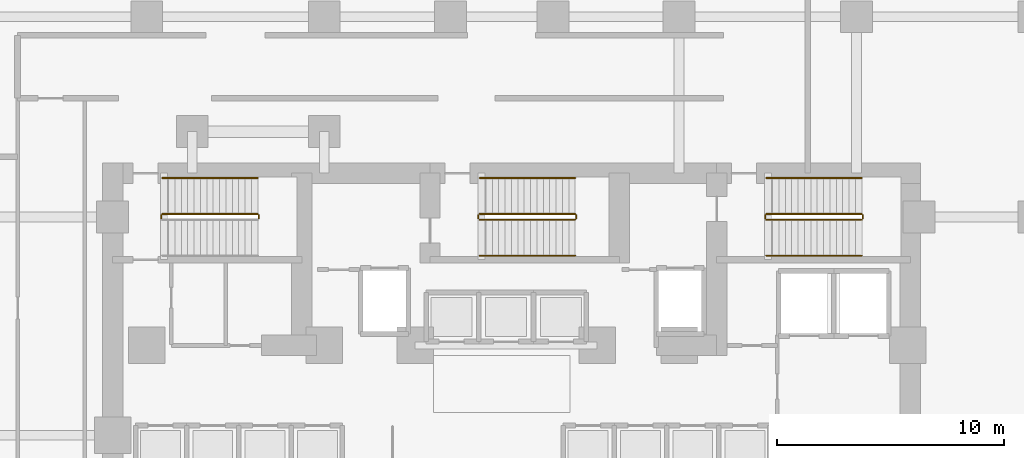
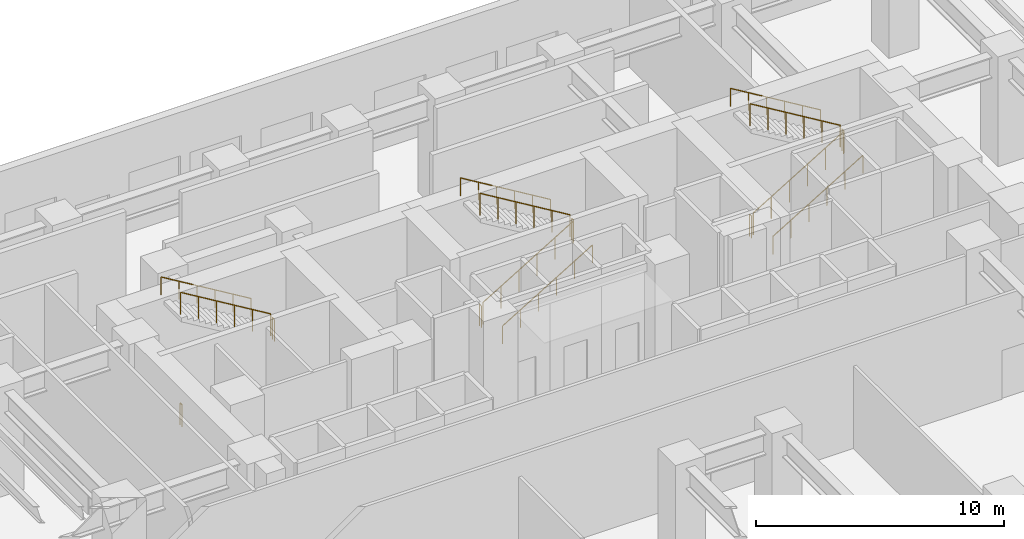
# One storey, part 15 of 17: 16 railings.
"""IFC4 building model written with IfcOpenShell, lengths in metres."""

from ifc_helpers import new_model, si_unit, direction, frame, origin, origin_2d, place, context, subcontext, project, spatial, circle, extrude, material, type_object, element, save


model = new_model("IFC4")

# Units and contexts
model_context = context("Model", 3, precision=1e-05, world=origin(), true_north=direction((0.0, 1.0)))
body_context = subcontext(model_context, "Body", "Model", "MODEL_VIEW")
ifc_project = project(units=[si_unit("LENGTHUNIT", "METRE"), si_unit("AREAUNIT", "SQUARE_METRE"), si_unit("VOLUMEUNIT", "CUBIC_METRE"), si_unit("PLANEANGLEUNIT", "RADIAN"), si_unit("MASSUNIT", "GRAM", prefix="KILO")], contexts=[model_context])

# Site, building, storey
site_placement = place(None, origin())
site = spatial("IfcSite", under=ifc_project, at=site_placement, CompositionType="ELEMENT")
building_placement = place(site_placement, origin())
building = spatial("IfcBuilding", under=site, at=building_placement, Name="Kestravale Grand Hotel", CompositionType="ELEMENT")
storey_placement = place(building_placement, origin())
storey = spatial("IfcBuildingStorey", under=building, at=storey_placement, Name="L00", CompositionType="ELEMENT", Elevation=0.0)

# Railings
ifc_material_1 = material(Name="Painted tubular steel stair well guard", Category="steel")
railing_type_1 = type_object("IfcRailingType", Name="RL-ST-GRD1100", PredefinedType="GUARDRAIL", material=ifc_material_1)
railing_1_placement = place(storey_placement, frame((28.330078125, 38.330078125, 2.699951171875)))
element("IfcRailing", 1, at=railing_1_placement, inside=storey, type_object=railing_type_1, Name="L00 ST-1 stair guard 2", PredefinedType="GUARDRAIL", context=body_context, shape_type="SweptSolid", body=[
    extrude(circle(Radius=0.02392578125, at=origin_2d()), frame((0.0, 0.0, 1.076171875), z_axis=(0.0, 1.0, 0.0), x_axis=(-1.0, 0.0, 0.0)), (0.0, 0.0, 1.0), 0.14990234375),
    extrude(circle(Radius=0.02099609375, at=origin_2d()), origin(), (0.0, 0.0, 1.0), 1.052001953125),
    extrude(circle(Radius=0.02099609375, at=origin_2d()), frame((0.0, 0.14990234375, 0.0)), (0.0, 0.0, 1.0), 1.052001953125),
])
railing_2_placement = place(storey_placement, frame((28.280029296875, 38.530029296875, 2.86865234375)))
element("IfcRailing", 2, at=railing_2_placement, inside=storey, type_object=railing_type_1, Name="L00 ST-1 stair guard 3", PredefinedType="GUARDRAIL", context=body_context, shape_type="SweptSolid", body=[
    extrude(circle(Radius=0.02392578125, at=origin_2d()), frame((0.0, 0.0, 1.076171875), z_axis=(-0.856476492594, 0.0, 0.516186030065), x_axis=(0.0, -1.0, 0.0)), (0.0, 0.0, 1.0), 4.90380859375),
    extrude(circle(Radius=0.02099609375, at=origin_2d()), origin(), (0.0, 0.0, 1.0), 1.052001953125),
    extrude(circle(Radius=0.02099609375, at=origin_2d()), frame((-0.840087890625, 0.0, 0.50634765625)), (0.0, 0.0, 1.0), 1.052001953125),
    extrude(circle(Radius=0.02099609375, at=origin_2d()), frame((-1.679931640625, 0.0, 1.012451171875)), (0.0, 0.0, 1.0), 1.052001953125),
    extrude(circle(Radius=0.02099609375, at=origin_2d()), frame((-2.52001953125, 0.0, 1.518798828125)), (0.0, 0.0, 1.0), 1.052001953125),
    extrude(circle(Radius=0.02099609375, at=origin_2d()), frame((-3.35986328125, 0.0, 2.02490234375)), (0.0, 0.0, 1.0), 1.052001953125),
    extrude(circle(Radius=0.02099609375, at=origin_2d()), frame((-4.199951171875, 0.0, 2.53125)), (0.0, 0.0, 1.0), 1.052001953125),
])
railing_3_placement = place(storey_placement, frame((24.030029296875, 38.330078125, 0.0)))
element("IfcRailing", 3, at=railing_3_placement, inside=storey, type_object=railing_type_1, Name="L00 ST-1 stair guard 4", PredefinedType="GUARDRAIL", context=body_context, shape_type="SweptSolid", body=[
    extrude(circle(Radius=0.02392578125, at=origin_2d()), frame((0.0, 0.0, 1.076171875), z_axis=(0.0, 1.0, 0.0), x_axis=(-1.0, 0.0, 0.0)), (0.0, 0.0, 1.0), 0.14990234375),
    extrude(circle(Radius=0.02099609375, at=origin_2d()), origin(), (0.0, 0.0, 1.0), 1.052001953125),
    extrude(circle(Radius=0.02099609375, at=origin_2d()), frame((0.0, 0.14990234375, 0.0)), (0.0, 0.0, 1.0), 1.052001953125),
])
railing_4_placement = place(storey_placement, frame((38.030029296875, 38.280029296875, 0.168701171875)))
element("IfcRailing", 4, at=railing_4_placement, inside=storey, type_object=railing_type_1, Name="L00 ST-2 stair guard 1", PredefinedType="GUARDRAIL", context=body_context, shape_type="SweptSolid", body=[
    extrude(circle(Radius=0.02392578125, at=origin_2d()), frame((0.0, 0.0, 1.076171875), z_axis=(0.856476492594, 0.0, 0.516186030065), x_axis=(0.0, 1.0, 0.0)), (0.0, 0.0, 1.0), 4.90380859375),
    extrude(circle(Radius=0.02099609375, at=origin_2d()), origin(), (0.0, 0.0, 1.0), 1.052001953125),
    extrude(circle(Radius=0.02099609375, at=origin_2d()), frame((0.840087890625, 0.0, 0.50634765625)), (0.0, 0.0, 1.0), 1.052001953125),
    extrude(circle(Radius=0.02099609375, at=origin_2d()), frame((1.679931640625, 0.0, 1.012451171875)), (0.0, 0.0, 1.0), 1.052001953125),
    extrude(circle(Radius=0.02099609375, at=origin_2d()), frame((2.52001953125, 0.0, 1.518798828125)), (0.0, 0.0, 1.0), 1.052001953125),
    extrude(circle(Radius=0.02099609375, at=origin_2d()), frame((3.35986328125, 0.0, 2.02490234375)), (0.0, 0.0, 1.0), 1.052001953125),
    extrude(circle(Radius=0.02099609375, at=origin_2d()), frame((4.199951171875, 0.0, 2.53125)), (0.0, 0.0, 1.0), 1.052001953125),
])
railing_5_placement = place(storey_placement, frame((42.280029296875, 38.330078125, 2.699951171875)))
element("IfcRailing", 5, at=railing_5_placement, inside=storey, type_object=railing_type_1, Name="L00 ST-2 stair guard 2", PredefinedType="GUARDRAIL", context=body_context, shape_type="SweptSolid", body=[
    extrude(circle(Radius=0.02392578125, at=origin_2d()), frame((0.0, 0.0, 1.076171875), z_axis=(0.0, 1.0, 0.0), x_axis=(-1.0, 0.0, 0.0)), (0.0, 0.0, 1.0), 0.14990234375),
    extrude(circle(Radius=0.02099609375, at=origin_2d()), origin(), (0.0, 0.0, 1.0), 1.052001953125),
    extrude(circle(Radius=0.02099609375, at=origin_2d()), frame((0.0, 0.14990234375, 0.0)), (0.0, 0.0, 1.0), 1.052001953125),
])
railing_6_placement = place(storey_placement, frame((42.22998046875, 38.530029296875, 2.86865234375)))
element("IfcRailing", 6, at=railing_6_placement, inside=storey, type_object=railing_type_1, Name="L00 ST-2 stair guard 3", PredefinedType="GUARDRAIL", context=body_context, shape_type="SweptSolid", body=[
    extrude(circle(Radius=0.02392578125, at=origin_2d()), frame((0.0, 0.0, 1.076171875), z_axis=(-0.856476492594, 0.0, 0.516186030065), x_axis=(0.0, -1.0, 0.0)), (0.0, 0.0, 1.0), 4.90380859375),
    extrude(circle(Radius=0.02099609375, at=origin_2d()), origin(), (0.0, 0.0, 1.0), 1.052001953125),
    extrude(circle(Radius=0.02099609375, at=origin_2d()), frame((-0.840087890625, 0.0, 0.50634765625)), (0.0, 0.0, 1.0), 1.052001953125),
    extrude(circle(Radius=0.02099609375, at=origin_2d()), frame((-1.679931640625, 0.0, 1.012451171875)), (0.0, 0.0, 1.0), 1.052001953125),
    extrude(circle(Radius=0.02099609375, at=origin_2d()), frame((-2.52001953125, 0.0, 1.518798828125)), (0.0, 0.0, 1.0), 1.052001953125),
    extrude(circle(Radius=0.02099609375, at=origin_2d()), frame((-3.35986328125, 0.0, 2.02490234375)), (0.0, 0.0, 1.0), 1.052001953125),
    extrude(circle(Radius=0.02099609375, at=origin_2d()), frame((-4.199951171875, 0.0, 2.53125)), (0.0, 0.0, 1.0), 1.052001953125),
])
railing_7_placement = place(storey_placement, frame((37.97998046875, 38.330078125, 0.0)))
element("IfcRailing", 7, at=railing_7_placement, inside=storey, type_object=railing_type_1, Name="L00 ST-2 stair guard 4", PredefinedType="GUARDRAIL", context=body_context, shape_type="SweptSolid", body=[
    extrude(circle(Radius=0.02392578125, at=origin_2d()), frame((0.0, 0.0, 1.076171875), z_axis=(0.0, 1.0, 0.0), x_axis=(-1.0, 0.0, 0.0)), (0.0, 0.0, 1.0), 0.14990234375),
    extrude(circle(Radius=0.02099609375, at=origin_2d()), origin(), (0.0, 0.0, 1.0), 1.052001953125),
    extrude(circle(Radius=0.02099609375, at=origin_2d()), frame((0.0, 0.14990234375, 0.0)), (0.0, 0.0, 1.0), 1.052001953125),
])
railing_8_placement = place(storey_placement, frame((50.6298828125, 38.280029296875, 0.168701171875)))
element("IfcRailing", 8, at=railing_8_placement, inside=storey, type_object=railing_type_1, Name="L00 ST-3 stair guard 1", PredefinedType="GUARDRAIL", context=body_context, shape_type="SweptSolid", body=[
    extrude(circle(Radius=0.02392578125, at=origin_2d()), frame((0.0, 0.0, 1.076171875), z_axis=(0.856489757249, 0.0, 0.516164020179), x_axis=(0.0, 1.0, 0.0)), (0.0, 0.0, 1.0), 4.904052734375),
    extrude(circle(Radius=0.02099609375, at=origin_2d()), origin(), (0.0, 0.0, 1.0), 1.052001953125),
    extrude(circle(Radius=0.02099609375, at=origin_2d()), frame((0.840087890625, 0.0, 0.50634765625)), (0.0, 0.0, 1.0), 1.052001953125),
    extrude(circle(Radius=0.02099609375, at=origin_2d()), frame((1.68017578125, 0.0, 1.012451171875)), (0.0, 0.0, 1.0), 1.052001953125),
    extrude(circle(Radius=0.02099609375, at=origin_2d()), frame((2.52001953125, 0.0, 1.518798828125)), (0.0, 0.0, 1.0), 1.052001953125),
    extrude(circle(Radius=0.02099609375, at=origin_2d()), frame((3.360107421875, 0.0, 2.02490234375)), (0.0, 0.0, 1.0), 1.052001953125),
    extrude(circle(Radius=0.02099609375, at=origin_2d()), frame((4.2001953125, 0.0, 2.53125)), (0.0, 0.0, 1.0), 1.052001953125),
])
railing_9_placement = place(storey_placement, frame((54.8798828125, 38.330078125, 2.699951171875)))
element("IfcRailing", 9, at=railing_9_placement, inside=storey, type_object=railing_type_1, Name="L00 ST-3 stair guard 2", PredefinedType="GUARDRAIL", context=body_context, shape_type="SweptSolid", body=[
    extrude(circle(Radius=0.02392578125, at=origin_2d()), frame((0.0, 0.0, 1.076171875), z_axis=(0.0, 1.0, 0.0), x_axis=(-1.0, 0.0, 0.0)), (0.0, 0.0, 1.0), 0.14990234375),
    extrude(circle(Radius=0.02099609375, at=origin_2d()), origin(), (0.0, 0.0, 1.0), 1.052001953125),
    extrude(circle(Radius=0.02099609375, at=origin_2d()), frame((0.0, 0.14990234375, 0.0)), (0.0, 0.0, 1.0), 1.052001953125),
])
railing_10_placement = place(storey_placement, frame((54.830078125, 38.530029296875, 2.86865234375)))
element("IfcRailing", 10, at=railing_10_placement, inside=storey, type_object=railing_type_1, Name="L00 ST-3 stair guard 3", PredefinedType="GUARDRAIL", context=body_context, shape_type="SweptSolid", body=[
    extrude(circle(Radius=0.02392578125, at=origin_2d()), frame((0.0, 0.0, 1.076171875), z_axis=(-0.856489757249, 0.0, 0.516164020179), x_axis=(0.0, -1.0, 0.0)), (0.0, 0.0, 1.0), 4.904052734375),
    extrude(circle(Radius=0.02099609375, at=origin_2d()), origin(), (0.0, 0.0, 1.0), 1.052001953125),
    extrude(circle(Radius=0.02099609375, at=origin_2d()), frame((-0.840087890625, 0.0, 0.50634765625)), (0.0, 0.0, 1.0), 1.052001953125),
    extrude(circle(Radius=0.02099609375, at=origin_2d()), frame((-1.68017578125, 0.0, 1.012451171875)), (0.0, 0.0, 1.0), 1.052001953125),
    extrude(circle(Radius=0.02099609375, at=origin_2d()), frame((-2.52001953125, 0.0, 1.518798828125)), (0.0, 0.0, 1.0), 1.052001953125),
    extrude(circle(Radius=0.02099609375, at=origin_2d()), frame((-3.360107421875, 0.0, 2.02490234375)), (0.0, 0.0, 1.0), 1.052001953125),
    extrude(circle(Radius=0.02099609375, at=origin_2d()), frame((-4.2001953125, 0.0, 2.53125)), (0.0, 0.0, 1.0), 1.052001953125),
])
railing_11_placement = place(storey_placement, frame((50.580078125, 38.330078125, 0.0)))
element("IfcRailing", 11, at=railing_11_placement, inside=storey, type_object=railing_type_1, Name="L00 ST-3 stair guard 4", PredefinedType="GUARDRAIL", context=body_context, shape_type="SweptSolid", body=[
    extrude(circle(Radius=0.02392578125, at=origin_2d()), frame((0.0, 0.0, 1.076171875), z_axis=(0.0, 1.0, 0.0), x_axis=(-1.0, 0.0, 0.0)), (0.0, 0.0, 1.0), 0.14990234375),
    extrude(circle(Radius=0.02099609375, at=origin_2d()), origin(), (0.0, 0.0, 1.0), 1.052001953125),
    extrude(circle(Radius=0.02099609375, at=origin_2d()), frame((0.0, 0.14990234375, 0.0)), (0.0, 0.0, 1.0), 1.052001953125),
])
ifc_material_2 = material(Name="Brushed stainless steel wall handrail", Category="steel")
railing_type_2 = type_object("IfcRailingType", Name="RL-ST-HND900", PredefinedType="HANDRAIL", material=ifc_material_2)
railing_12_placement = place(storey_placement, frame((28.280029296875, 40.110107421875, 2.86865234375)))
element("IfcRailing", 12, at=railing_12_placement, inside=storey, type_object=railing_type_2, Name="L00 ST-1 stair handrail 2", PredefinedType="HANDRAIL", context=body_context, shape_type="SweptSolid", body=[
    extrude(circle(Radius=0.02392578125, at=origin_2d()), frame((0.0, 0.0, 0.8759765625), z_axis=(-0.856476492594, 0.0, 0.516186030065), x_axis=(0.0, -1.0, 0.0)), (0.0, 0.0, 1.0), 4.90380859375),
    extrude(circle(Radius=0.02099609375, at=origin_2d()), origin(), (0.0, 0.0, 1.0), 0.851806640625),
    extrude(circle(Radius=0.02099609375, at=origin_2d()), frame((-0.840087890625, 0.0, 0.50634765625)), (0.0, 0.0, 1.0), 0.851806640625),
    extrude(circle(Radius=0.02099609375, at=origin_2d()), frame((-1.679931640625, 0.0, 1.012451171875)), (0.0, 0.0, 1.0), 0.851806640625),
    extrude(circle(Radius=0.02099609375, at=origin_2d()), frame((-2.52001953125, 0.0, 1.518798828125)), (0.0, 0.0, 1.0), 0.851806640625),
    extrude(circle(Radius=0.02099609375, at=origin_2d()), frame((-3.35986328125, 0.0, 2.02490234375)), (0.0, 0.0, 1.0), 0.851806640625),
    extrude(circle(Radius=0.02099609375, at=origin_2d()), frame((-4.199951171875, 0.0, 2.53125)), (0.0, 0.0, 1.0), 0.851806640625),
])
railing_13_placement = place(storey_placement, frame((38.030029296875, 36.699951171875, 0.168701171875)))
element("IfcRailing", 13, at=railing_13_placement, inside=storey, type_object=railing_type_2, Name="L00 ST-2 stair handrail 1", PredefinedType="HANDRAIL", context=body_context, shape_type="SweptSolid", body=[
    extrude(circle(Radius=0.02392578125, at=origin_2d()), frame((0.0, 0.0, 0.8759765625), z_axis=(0.856476492594, 0.0, 0.516186030065), x_axis=(0.0, 1.0, 0.0)), (0.0, 0.0, 1.0), 4.90380859375),
    extrude(circle(Radius=0.02099609375, at=origin_2d()), origin(), (0.0, 0.0, 1.0), 0.851806640625),
    extrude(circle(Radius=0.02099609375, at=origin_2d()), frame((0.840087890625, 0.0, 0.50634765625)), (0.0, 0.0, 1.0), 0.851806640625),
    extrude(circle(Radius=0.02099609375, at=origin_2d()), frame((1.679931640625, 0.0, 1.012451171875)), (0.0, 0.0, 1.0), 0.851806640625),
    extrude(circle(Radius=0.02099609375, at=origin_2d()), frame((2.52001953125, 0.0, 1.518798828125)), (0.0, 0.0, 1.0), 0.851806640625),
    extrude(circle(Radius=0.02099609375, at=origin_2d()), frame((3.35986328125, 0.0, 2.02490234375)), (0.0, 0.0, 1.0), 0.851806640625),
    extrude(circle(Radius=0.02099609375, at=origin_2d()), frame((4.199951171875, 0.0, 2.53125)), (0.0, 0.0, 1.0), 0.851806640625),
])
railing_14_placement = place(storey_placement, frame((42.22998046875, 40.110107421875, 2.86865234375)))
element("IfcRailing", 14, at=railing_14_placement, inside=storey, type_object=railing_type_2, Name="L00 ST-2 stair handrail 2", PredefinedType="HANDRAIL", context=body_context, shape_type="SweptSolid", body=[
    extrude(circle(Radius=0.02392578125, at=origin_2d()), frame((0.0, 0.0, 0.8759765625), z_axis=(-0.856476492594, 0.0, 0.516186030065), x_axis=(0.0, -1.0, 0.0)), (0.0, 0.0, 1.0), 4.90380859375),
    extrude(circle(Radius=0.02099609375, at=origin_2d()), origin(), (0.0, 0.0, 1.0), 0.851806640625),
    extrude(circle(Radius=0.02099609375, at=origin_2d()), frame((-0.840087890625, 0.0, 0.50634765625)), (0.0, 0.0, 1.0), 0.851806640625),
    extrude(circle(Radius=0.02099609375, at=origin_2d()), frame((-1.679931640625, 0.0, 1.012451171875)), (0.0, 0.0, 1.0), 0.851806640625),
    extrude(circle(Radius=0.02099609375, at=origin_2d()), frame((-2.52001953125, 0.0, 1.518798828125)), (0.0, 0.0, 1.0), 0.851806640625),
    extrude(circle(Radius=0.02099609375, at=origin_2d()), frame((-3.35986328125, 0.0, 2.02490234375)), (0.0, 0.0, 1.0), 0.851806640625),
    extrude(circle(Radius=0.02099609375, at=origin_2d()), frame((-4.199951171875, 0.0, 2.53125)), (0.0, 0.0, 1.0), 0.851806640625),
])
railing_15_placement = place(storey_placement, frame((50.6298828125, 36.699951171875, 0.168701171875)))
element("IfcRailing", 15, at=railing_15_placement, inside=storey, type_object=railing_type_2, Name="L00 ST-3 stair handrail 1", PredefinedType="HANDRAIL", context=body_context, shape_type="SweptSolid", body=[
    extrude(circle(Radius=0.02392578125, at=origin_2d()), frame((0.0, 0.0, 0.8759765625), z_axis=(0.856489757249, 0.0, 0.516164020179), x_axis=(0.0, 1.0, 0.0)), (0.0, 0.0, 1.0), 4.904052734375),
    extrude(circle(Radius=0.02099609375, at=origin_2d()), origin(), (0.0, 0.0, 1.0), 0.851806640625),
    extrude(circle(Radius=0.02099609375, at=origin_2d()), frame((0.840087890625, 0.0, 0.50634765625)), (0.0, 0.0, 1.0), 0.851806640625),
    extrude(circle(Radius=0.02099609375, at=origin_2d()), frame((1.68017578125, 0.0, 1.012451171875)), (0.0, 0.0, 1.0), 0.851806640625),
    extrude(circle(Radius=0.02099609375, at=origin_2d()), frame((2.52001953125, 0.0, 1.518798828125)), (0.0, 0.0, 1.0), 0.851806640625),
    extrude(circle(Radius=0.02099609375, at=origin_2d()), frame((3.360107421875, 0.0, 2.02490234375)), (0.0, 0.0, 1.0), 0.851806640625),
    extrude(circle(Radius=0.02099609375, at=origin_2d()), frame((4.2001953125, 0.0, 2.53125)), (0.0, 0.0, 1.0), 0.851806640625),
])
railing_16_placement = place(storey_placement, frame((54.830078125, 40.110107421875, 2.86865234375)))
element("IfcRailing", 16, at=railing_16_placement, inside=storey, type_object=railing_type_2, Name="L00 ST-3 stair handrail 2", PredefinedType="HANDRAIL", context=body_context, shape_type="SweptSolid", body=[
    extrude(circle(Radius=0.02392578125, at=origin_2d()), frame((0.0, 0.0, 0.8759765625), z_axis=(-0.856489757249, 0.0, 0.516164020179), x_axis=(0.0, -1.0, 0.0)), (0.0, 0.0, 1.0), 4.904052734375),
    extrude(circle(Radius=0.02099609375, at=origin_2d()), origin(), (0.0, 0.0, 1.0), 0.851806640625),
    extrude(circle(Radius=0.02099609375, at=origin_2d()), frame((-0.840087890625, 0.0, 0.50634765625)), (0.0, 0.0, 1.0), 0.851806640625),
    extrude(circle(Radius=0.02099609375, at=origin_2d()), frame((-1.68017578125, 0.0, 1.012451171875)), (0.0, 0.0, 1.0), 0.851806640625),
    extrude(circle(Radius=0.02099609375, at=origin_2d()), frame((-2.52001953125, 0.0, 1.518798828125)), (0.0, 0.0, 1.0), 0.851806640625),
    extrude(circle(Radius=0.02099609375, at=origin_2d()), frame((-3.360107421875, 0.0, 2.02490234375)), (0.0, 0.0, 1.0), 0.851806640625),
    extrude(circle(Radius=0.02099609375, at=origin_2d()), frame((-4.2001953125, 0.0, 2.53125)), (0.0, 0.0, 1.0), 0.851806640625),
])

save(model, "model.ifc")
